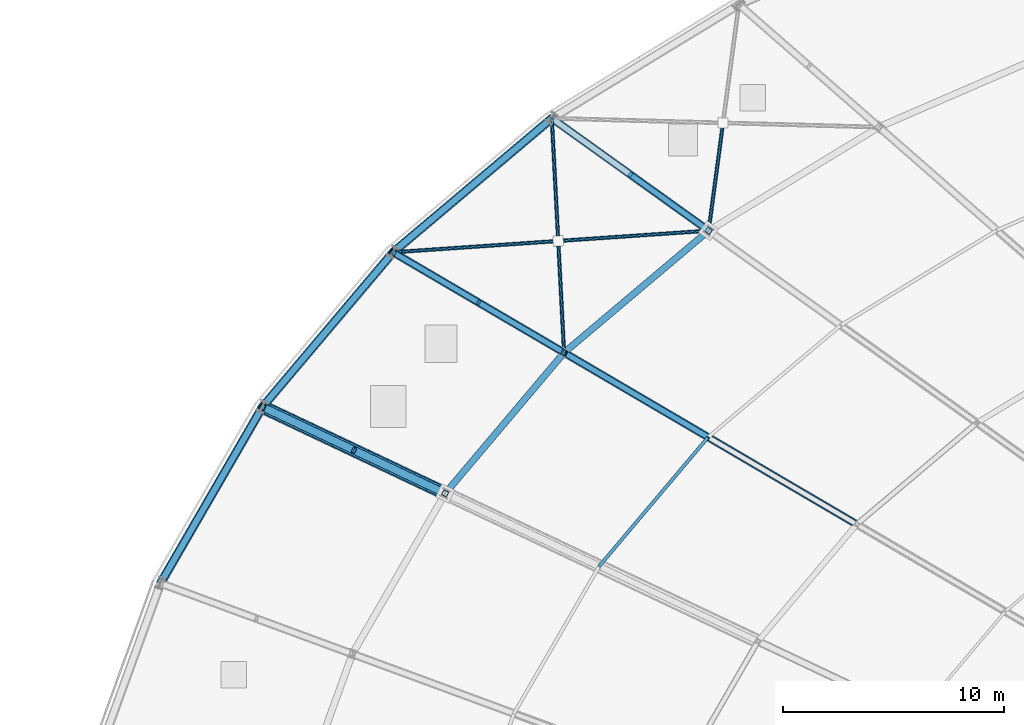
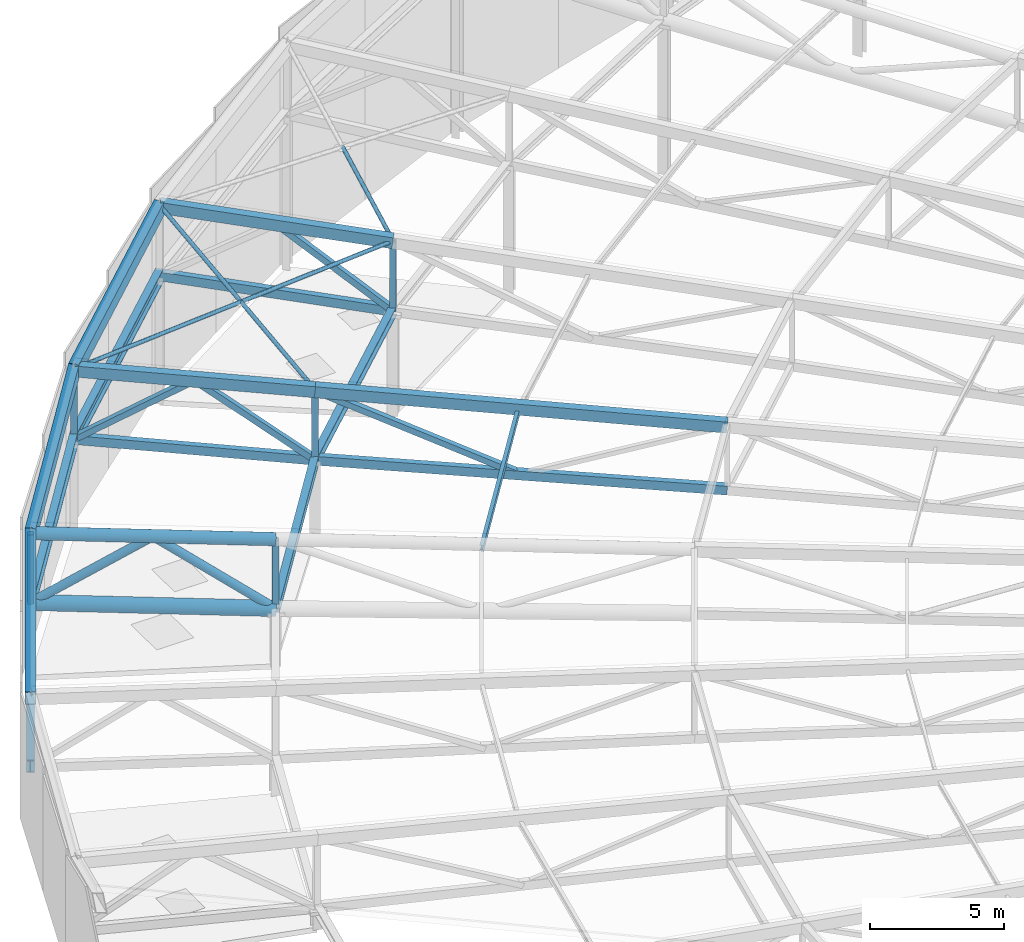
# One storey, part 47 of 143: 16 beams, 16 members.
"""IFC4 building model written with IfcOpenShell, lengths in metres."""

from ifc_helpers import new_model, si_unit, direction, frame, origin, origin_2d, place, context, subcontext, project, spatial, hollow_rectangle, hollow_circle, i_section, extrude, material, material_profile, profile_set, type_object, element, save


model = new_model("IFC4")

# Units and contexts
model_context = context("Model", 3, precision=1e-05, world=origin(), true_north=direction((0.0, 1.0)))
body_context = subcontext(model_context, "Body", "Model", "MODEL_VIEW")
ifc_project = project(units=[si_unit("LENGTHUNIT", "METRE"), si_unit("AREAUNIT", "SQUARE_METRE"), si_unit("VOLUMEUNIT", "CUBIC_METRE"), si_unit("PLANEANGLEUNIT", "RADIAN"), si_unit("MASSUNIT", "GRAM", prefix="KILO")], contexts=[model_context])

# Site, building, storey
site_placement = place(None, origin())
site = spatial("IfcSite", under=ifc_project, at=site_placement, CompositionType="ELEMENT")
building_placement = place(site_placement, origin())
building = spatial("IfcBuilding", under=site, at=building_placement, Name="Mphavela Belvedere Stadium", CompositionType="ELEMENT")
storey_placement = place(building_placement, frame((0.0, 0.0, 28.800048828125)))
storey = spatial("IfcBuildingStorey", under=building, at=storey_placement, Name="RF", CompositionType="ELEMENT", Elevation=28.800048828125)

# Beams
ifc_material_1 = material(Name="Steel S355", Category="steel")
ifc_material_profile_1 = material_profile(ifc_material_1, hollow_rectangle(XDim=0.39990234375, YDim=0.60009765625, WallThickness=0.02001953125, at=origin_2d()), Name="RHS 600x400x20")
ifc_profile_set_1 = profile_set([ifc_material_profile_1], Name="Steel S355")
beam_type_1 = type_object("IfcBeamType", Name="BM-RING-OUT", PredefinedType="BEAM", material=ifc_profile_set_1)
beam_1_placement = place(storey_placement, frame((35.844482421875, 143.714599609375, 8.805908203125), z_axis=(-0.75767620919, -0.639341612092, -0.131030779116), x_axis=(0.644901761212, -0.76426547638, 0.0)))
element("IfcBeam", 1, at=beam_1_placement, inside=storey, type_object=beam_type_1, Name="Perimeter compression ring beam RB-OUT-19", PredefinedType="BEAM", context=body_context, shape_type="SweptSolid", body=[
    extrude(hollow_rectangle(XDim=0.39990234375, YDim=0.60009765625, WallThickness=0.02001953125, at=origin_2d()), origin(), (0.0, 0.0, 1.0), 9.480224609375),
])
beam_2_placement = place(storey_placement, frame((28.66162109375, 137.653564453125, 7.563720703125), z_axis=(-0.640062920781, -0.758001984379, -0.125508761127), x_axis=(0.764043650952, -0.645164552218, 0.0)))
element("IfcBeam", 2, at=beam_2_placement, inside=storey, type_object=beam_type_1, Name="Perimeter compression ring beam RB-OUT-20", PredefinedType="BEAM", context=body_context, shape_type="SweptSolid", body=[
    extrude(hollow_rectangle(XDim=0.39990234375, YDim=0.60009765625, WallThickness=0.02001953125, at=origin_2d()), origin(), (0.0, 0.0, 1.0), 9.22412109375),
])
beam_3_placement = place(storey_placement, frame((22.757568359375, 130.66162109375, 6.406005859375), z_axis=(-0.49767882815, -0.8607068018, -0.107236119601), x_axis=(0.865698783248, -0.500565297122, 0.0)))
element("IfcBeam", 3, at=beam_3_placement, inside=storey, type_object=beam_type_1, Name="Perimeter compression ring beam RB-OUT-21", PredefinedType="BEAM", context=body_context, shape_type="SweptSolid", body=[
    extrude(hollow_rectangle(XDim=0.39990234375, YDim=0.60009765625, WallThickness=0.02001953125, at=origin_2d()), origin(), (0.0, 0.0, 1.0), 9.2705078125),
])
ifc_material_2 = material(Name="Steel S355", Category="steel")
ifc_material_profile_2 = material_profile(ifc_material_2, i_section(OverallWidth=0.300048828125, OverallDepth=0.39990234375, WebThickness=0.013427734375, FlangeThickness=0.02392578125, at=origin_2d()), Name="HEB 400")
ifc_profile_set_2 = profile_set([ifc_material_profile_2], Name="Steel S355")
beam_type_2 = type_object("IfcBeamType", Name="BM-STEEL-HEB400", PredefinedType="BEAM", material=ifc_profile_set_2)
beam_4_placement = place(storey_placement, frame((42.938720703125, 138.631591796875, 4.701171875), z_axis=(-0.757674039496, -0.639344047441, -0.131031442314), x_axis=(0.644904274761, -0.764263355392, 0.0)))
element("IfcBeam", 4, at=beam_4_placement, inside=storey, type_object=beam_type_2, Name="Roof bottom-chord tie girder R3-19", PredefinedType="BEAM", context=body_context, shape_type="SweptSolid", body=[
    extrude(i_section(OverallWidth=0.300048828125, OverallDepth=0.39990234375, WebThickness=0.013427734375, FlangeThickness=0.02392578125, at=origin_2d()), origin(), (0.0, 0.0, 1.0), 8.63037109375),
])
beam_5_placement = place(storey_placement, frame((36.399658203125, 133.11376953125, 3.5703125), z_axis=(-0.640076100613, -0.75799174144, -0.125503407655), x_axis=(0.764032804808, -0.645177396673, 0.0)))
element("IfcBeam", 5, at=beam_5_placement, inside=storey, type_object=beam_type_2, Name="Roof bottom-chord tie girder R3-20", PredefinedType="BEAM", context=body_context, shape_type="SweptSolid", body=[
    extrude(i_section(OverallWidth=0.300048828125, OverallDepth=0.39990234375, WebThickness=0.013427734375, FlangeThickness=0.02392578125, at=origin_2d()), origin(), (0.0, 0.0, 1.0), 8.397705078125),
])
ifc_material_3 = material(Name="Steel S355", Category="steel")
ifc_material_profile_3 = material_profile(ifc_material_3, i_section(OverallWidth=0.300048828125, OverallDepth=0.60009765625, WebThickness=0.015380859375, FlangeThickness=0.030029296875, at=origin_2d()), Name="HEB 600")
ifc_profile_set_3 = profile_set([ifc_material_profile_3], Name="Steel S355")
beam_type_3 = type_object("IfcBeamType", Name="BM-STEEL-HEB600", PredefinedType="BEAM", material=ifc_profile_set_3)
beam_6_placement = place(storey_placement, frame((35.844482421875, 143.714599609375, 5.7109375), z_axis=(-0.75767620919, -0.639341612092, -0.131030779116), x_axis=(0.644901761212, -0.76426547638, 0.0)))
element("IfcBeam", 6, at=beam_6_placement, inside=storey, type_object=beam_type_3, Name="Roof bottom-chord tie girder R4-19", PredefinedType="BEAM", context=body_context, shape_type="SweptSolid", body=[
    extrude(i_section(OverallWidth=0.300048828125, OverallDepth=0.60009765625, WebThickness=0.015380859375, FlangeThickness=0.030029296875, at=origin_2d()), origin(), (0.0, 0.0, 1.0), 9.480224609375),
])
beam_7_placement = place(storey_placement, frame((28.66162109375, 137.653564453125, 4.46875), z_axis=(-0.640062920781, -0.758001984379, -0.125508761127), x_axis=(0.764043650952, -0.645164552218, 0.0)))
element("IfcBeam", 7, at=beam_7_placement, inside=storey, type_object=beam_type_3, Name="Roof bottom-chord tie girder R4-20", PredefinedType="BEAM", context=body_context, shape_type="SweptSolid", body=[
    extrude(i_section(OverallWidth=0.300048828125, OverallDepth=0.60009765625, WebThickness=0.015380859375, FlangeThickness=0.030029296875, at=origin_2d()), origin(), (0.0, 0.0, 1.0), 9.22412109375),
])
beam_8_placement = place(storey_placement, frame((22.757568359375, 130.66162109375, 3.31103515625), z_axis=(-0.49767882815, -0.8607068018, -0.107236119601), x_axis=(0.865698783248, -0.500565297122, 0.0)))
element("IfcBeam", 8, at=beam_8_placement, inside=storey, type_object=beam_type_3, Name="Roof bottom-chord tie girder R4-21", PredefinedType="BEAM", context=body_context, shape_type="SweptSolid", body=[
    extrude(i_section(OverallWidth=0.300048828125, OverallDepth=0.60009765625, WebThickness=0.015380859375, FlangeThickness=0.030029296875, at=origin_2d()), origin(), (0.0, 0.0, 1.0), 9.2705078125),
])
ifc_material_4 = material(Name="Steel S355", Category="steel")
ifc_material_profile_4 = material_profile(ifc_material_4, hollow_circle(Radius=0.304931640625, WallThickness=0.02490234375, at=origin_2d()), Name="CHS 610x25")
ifc_profile_set_4 = profile_set([ifc_material_profile_4], Name="Steel S355")
beam_type_4 = type_object("IfcBeamType", Name="BM-TRUSS-BC1", PredefinedType="BEAM", material=ifc_profile_set_4)
beam_9_placement = place(storey_placement, frame((22.757568359375, 130.66162109375, 3.31103515625), z_axis=(0.900453046882, -0.426253267431, -0.086559010886), x_axis=(0.427859140325, 0.903845427073, 0.0)))
element("IfcBeam", 9, at=beam_9_placement, inside=storey, type_object=beam_type_4, Name="Radial roof truss RT-21 bottom chord 1", PredefinedType="BEAM", context=body_context, shape_type="SweptSolid", body=[
    extrude(hollow_circle(Radius=0.304931640625, WallThickness=0.02490234375, at=origin_2d()), origin(), (0.0, 0.0, 1.0), 9.1806640625),
])
ifc_material_5 = material(Name="Steel S355", Category="steel")
ifc_material_profile_5 = material_profile(ifc_material_5, hollow_rectangle(XDim=0.25, YDim=0.39990234375, WallThickness=0.01611328125, at=origin_2d()), Name="RHS 400x250x16")
ifc_profile_set_5 = profile_set([ifc_material_profile_5], Name="Steel S355")
beam_type_5 = type_object("IfcBeamType", Name="BM-TRUSS-BC2", PredefinedType="BEAM", material=ifc_profile_set_5)
beam_10_placement = place(storey_placement, frame((35.844482421875, 143.714599609375, 5.7109375), z_axis=(0.807495008804, -0.57856858983, -0.114935623801), x_axis=(0.582428376319, 0.812882024932, 0.0)))
element("IfcBeam", 10, at=beam_10_placement, inside=storey, type_object=beam_type_5, Name="Radial roof truss RT-19 bottom chord 1", PredefinedType="BEAM", context=body_context, shape_type="SweptSolid", body=[
    extrude(hollow_rectangle(XDim=0.25, YDim=0.39990234375, WallThickness=0.01611328125, at=origin_2d()), origin(), (0.0, 0.0, 1.0), 8.785400390625),
])
beam_11_placement = place(storey_placement, frame((28.66162109375, 137.653564453125, 4.46875), z_axis=(0.858225019293, -0.503508257888, -0.099645624578), x_axis=(0.506026758411, 0.862517779395, 0.0)))
element("IfcBeam", 11, at=beam_11_placement, inside=storey, type_object=beam_type_5, Name="Radial roof truss RT-20 bottom chord 1", PredefinedType="BEAM", context=body_context, shape_type="SweptSolid", body=[
    extrude(hollow_rectangle(XDim=0.25, YDim=0.39990234375, WallThickness=0.01611328125, at=origin_2d()), origin(), (0.0, 0.0, 1.0), 9.016357421875),
])
beam_12_placement = place(storey_placement, frame((36.399658203125, 133.11376953125, 3.5703125), z_axis=(0.85949913121, -0.504262531198, -0.0835496444), x_axis=(0.506031812676, 0.86251481411, 0.0)))
element("IfcBeam", 12, at=beam_12_placement, inside=storey, type_object=beam_type_5, Name="Radial roof truss RT-20 bottom chord 2", PredefinedType="BEAM", context=body_context, shape_type="SweptSolid", body=[
    extrude(hollow_rectangle(XDim=0.25, YDim=0.39990234375, WallThickness=0.01611328125, at=origin_2d()), origin(), (0.0, 0.0, 1.0), 15.3994140625),
])
ifc_material_6 = material(Name="Steel S355", Category="steel")
ifc_material_profile_6 = material_profile(ifc_material_6, hollow_circle(Radius=0.25390625, WallThickness=0.02490234375, at=origin_2d()), Name="CHS 508x25")
ifc_profile_set_6 = profile_set([ifc_material_profile_6], Name="Steel S355")
beam_type_6 = type_object("IfcBeamType", Name="BM-TRUSS-TC1", PredefinedType="BEAM", material=ifc_profile_set_6)
beam_13_placement = place(storey_placement, frame((22.757568359375, 130.66162109375, 6.4609375), z_axis=(0.900453046882, -0.426253267431, -0.086559010886), x_axis=(0.427859140325, 0.903845427073, 0.0)))
element("IfcBeam", 13, at=beam_13_placement, inside=storey, type_object=beam_type_6, Name="Radial roof truss RT-21 top chord 1", PredefinedType="BEAM", context=body_context, shape_type="SweptSolid", body=[
    extrude(hollow_circle(Radius=0.25390625, WallThickness=0.02490234375, at=origin_2d()), origin(), (0.0, 0.0, 1.0), 9.1806640625),
])
ifc_material_7 = material(Name="Steel S355", Category="steel")
ifc_material_profile_7 = material_profile(ifc_material_7, hollow_rectangle(XDim=0.35009765625, YDim=0.5, WallThickness=0.02001953125, at=origin_2d()), Name="RHS 500x350x20")
ifc_profile_set_7 = profile_set([ifc_material_profile_7], Name="Steel S355")
beam_type_7 = type_object("IfcBeamType", Name="BM-TRUSS-TC2", PredefinedType="BEAM", material=ifc_profile_set_7)
beam_14_placement = place(storey_placement, frame((35.844482421875, 143.714599609375, 8.86083984375), z_axis=(0.807497587607, -0.578570437538, -0.114908201692), x_axis=(0.582428376319, 0.812882024932, 0.0)))
element("IfcBeam", 14, at=beam_14_placement, inside=storey, type_object=beam_type_7, Name="Radial roof truss RT-19 top chord 1", PredefinedType="BEAM", context=body_context, shape_type="SweptSolid", body=[
    extrude(hollow_rectangle(XDim=0.35009765625, YDim=0.5, WallThickness=0.02001953125, at=origin_2d()), origin(), (0.0, 0.0, 1.0), 8.785400390625),
])
beam_15_placement = place(storey_placement, frame((28.66162109375, 137.653564453125, 7.61865234375), z_axis=(0.858225019293, -0.503508257888, -0.099645624578), x_axis=(0.506026758411, 0.862517779395, 0.0)))
element("IfcBeam", 15, at=beam_15_placement, inside=storey, type_object=beam_type_7, Name="Radial roof truss RT-20 top chord 1", PredefinedType="BEAM", context=body_context, shape_type="SweptSolid", body=[
    extrude(hollow_rectangle(XDim=0.35009765625, YDim=0.5, WallThickness=0.02001953125, at=origin_2d()), origin(), (0.0, 0.0, 1.0), 9.016357421875),
])
beam_16_placement = place(storey_placement, frame((36.399658203125, 133.11376953125, 6.72021484375), z_axis=(0.858222917676, -0.503513785047, -0.099635795991), x_axis=(0.506031812676, 0.86251481411, 0.0)))
element("IfcBeam", 16, at=beam_16_placement, inside=storey, type_object=beam_type_7, Name="Radial roof truss RT-20 top chord 2", PredefinedType="BEAM", context=body_context, shape_type="SweptSolid", body=[
    extrude(hollow_rectangle(XDim=0.35009765625, YDim=0.5, WallThickness=0.02001953125, at=origin_2d()), origin(), (0.0, 0.0, 1.0), 15.42236328125),
])

# Members
ifc_material_8 = material(Name="Steel S355", Category="steel")
ifc_material_profile_8 = material_profile(ifc_material_8, hollow_circle(Radius=0.177734375, WallThickness=0.01611328125, at=origin_2d()), Name="CHS 355.6x16")
ifc_profile_set_8 = profile_set([ifc_material_profile_8], Name="Steel S355")
member_type_1 = type_object("IfcMemberType", Name="MEM-DIAG-355", PredefinedType="BRACE", material=ifc_profile_set_8)
member_1_placement = place(storey_placement, frame((22.757568359375, 130.66162109375, 3.31103515625), z_axis=(0.774385979506, -0.366588129806, 0.515693220656), x_axis=(0.427870623613, 0.903839991065, 0.0)))
element("IfcMember", 17, at=member_1_placement, inside=storey, type_object=member_type_1, Name="Radial roof truss RT-21 web diagonal D1", PredefinedType="BRACE", context=body_context, shape_type="SweptSolid", body=[
    extrude(hollow_circle(Radius=0.177734375, WallThickness=0.01611328125, at=origin_2d()), origin(), (0.0, 0.0, 1.0), 5.337890625),
])
member_2_placement = place(storey_placement, frame((26.89111328125, 128.704833984375, 6.063720703125), z_axis=(0.714168011472, -0.338059211101, -0.612927419178), x_axis=(0.427847656152, 0.903850863321, 0.0)))
element("IfcMember", 18, at=member_2_placement, inside=storey, type_object=member_type_1, Name="Radial roof truss RT-21 web diagonal D2", PredefinedType="BRACE", context=body_context, shape_type="SweptSolid", body=[
    extrude(hollow_circle(Radius=0.177734375, WallThickness=0.01611328125, at=origin_2d()), origin(), (0.0, 0.0, 1.0), 5.78759765625),
])
ifc_material_9 = material(Name="Steel S355", Category="steel")
ifc_material_profile_9 = material_profile(ifc_material_9, hollow_rectangle(XDim=0.25, YDim=0.25, WallThickness=0.012451171875, at=origin_2d()), Name="SHS 250x250x12.5")
ifc_profile_set_9 = profile_set([ifc_material_profile_9], Name="Steel S355")
member_type_2 = type_object("IfcMemberType", Name="MEM-POST-SHS250", PredefinedType="POST", material=ifc_profile_set_9)
member_3_placement = place(storey_placement, frame((42.938720703125, 138.631591796875, 4.701171875), z_axis=(0.0, 0.0, 1.0), x_axis=(-0.812897512265, 0.582406760395, 0.0)))
element("IfcMember", 19, at=member_3_placement, inside=storey, type_object=member_type_2, Name="Radial roof truss RT-19 post P2", PredefinedType="POST", context=body_context, shape_type="SweptSolid", body=[
    extrude(hollow_rectangle(XDim=0.25, YDim=0.25, WallThickness=0.012451171875, at=origin_2d()), origin(), (0.0, 0.0, 1.0), 3.150146484375),
])
member_4_placement = place(storey_placement, frame((39.3916015625, 141.173095703125, 8.35595703125), z_axis=(0.623177325209, -0.446505331091, -0.642092680734), x_axis=(0.582428376319, 0.812882024932, 0.0)))
element("IfcMember", 20, at=member_4_placement, inside=storey, type_object=member_type_2, Name="Radial roof truss RT-19 web diagonal D2", PredefinedType="POST", context=body_context, shape_type="SweptSolid", body=[
    extrude(hollow_rectangle(XDim=0.25, YDim=0.25, WallThickness=0.012451171875, at=origin_2d()), origin(), (0.0, 0.0, 1.0), 5.69189453125),
])
for number, where, z_axis, x_axis, name in (
    (21, (28.66162109375, 137.653564453125, 4.46875), (0.0, 0.0, 1.0), (-0.862513669207, 0.506033764121, 0.0), "Radial roof truss RT-20 post P1"),
    (22, (36.399658203125, 133.11376953125, 3.5703125), (0.0, 0.0, 1.0), (-0.862513669207, 0.506033764121, 0.0), "Radial roof truss RT-20 post P2"),
):
    element("IfcMember", number, at=place(storey_placement, frame(where, z_axis=z_axis, x_axis=x_axis)), inside=storey, type_object=member_type_2, Name=name, PredefinedType="POST", context=body_context, shape_type="SweptSolid", body=[
        extrude(hollow_rectangle(XDim=0.25, YDim=0.25, WallThickness=0.012451171875, at=origin_2d()), origin(), (0.0, 0.0, 1.0), 3.14990234375),
    ])
member_5_placement = place(storey_placement, frame((28.66162109375, 137.653564453125, 4.46875), z_axis=(0.738933073182, -0.433531026908, 0.515779761202), x_axis=(0.506035125542, 0.862512870465, 0.0)))
element("IfcMember", 23, at=member_5_placement, inside=storey, type_object=member_type_2, Name="Radial roof truss RT-20 web diagonal D1", PredefinedType="POST", context=body_context, shape_type="SweptSolid", body=[
    extrude(hollow_rectangle(XDim=0.25, YDim=0.25, WallThickness=0.012451171875, at=origin_2d()), origin(), (0.0, 0.0, 1.0), 5.236083984375),
])
member_6_placement = place(storey_placement, frame((32.53076171875, 135.383544921875, 7.16943359375), z_axis=(0.672735460381, -0.394675432268, -0.625826096859), x_axis=(0.50601839061, 0.862522688609, 0.0)))
element("IfcMember", 24, at=member_6_placement, inside=storey, type_object=member_type_2, Name="Radial roof truss RT-20 web diagonal D2", PredefinedType="POST", context=body_context, shape_type="SweptSolid", body=[
    extrude(hollow_rectangle(XDim=0.25, YDim=0.25, WallThickness=0.012451171875, at=origin_2d()), origin(), (0.0, 0.0, 1.0), 5.7509765625),
])
member_7_placement = place(storey_placement, frame((36.399658203125, 133.11376953125, 6.72021484375), z_axis=(0.773195010887, -0.453614205118, -0.443174489399), x_axis=(0.506019976989, 0.862521757922, 0.0)))
element("IfcMember", 25, at=member_7_placement, inside=storey, type_object=member_type_2, Name="Radial roof truss RT-20 web diagonal D3", PredefinedType="POST", context=body_context, shape_type="SweptSolid", body=[
    extrude(hollow_rectangle(XDim=0.25, YDim=0.25, WallThickness=0.012451171875, at=origin_2d()), origin(), (0.0, 0.0, 1.0), 8.55908203125),
])
for number, where, z_axis, x_axis, name in (
    (26, (22.757568359375, 130.66162109375, 3.31103515625), (0.0, 0.0, 1.0), (-0.903858661687, 0.4278311813, 0.0), "Radial roof truss RT-21 post P1"),
    (27, (31.0244140625, 126.748291015625, 2.516357421875), (0.0, 0.0, 1.0), (-0.903858661687, 0.4278311813, 0.0), "Radial roof truss RT-21 post P2"),
):
    element("IfcMember", number, at=place(storey_placement, frame(where, z_axis=z_axis, x_axis=x_axis)), inside=storey, type_object=member_type_2, Name=name, PredefinedType="POST", context=body_context, shape_type="SweptSolid", body=[
        extrude(hollow_rectangle(XDim=0.25, YDim=0.25, WallThickness=0.012451171875, at=origin_2d()), origin(), (0.0, 0.0, 1.0), 3.14990234375),
    ])
ifc_material_10 = material(Name="Steel S355", Category="steel")
ifc_material_profile_10 = material_profile(ifc_material_10, i_section(OverallWidth=0.14990234375, OverallDepth=0.300048828125, WebThickness=0.007080078125, FlangeThickness=0.0107421875, at=origin_2d()), Name="IPE 300")
ifc_profile_set_10 = profile_set([ifc_material_profile_10], Name="Steel S355")
member_type_3 = type_object("IfcMemberType", Name="MEM-PURLIN-IPE300", PredefinedType="PURLIN", material=ifc_profile_set_10)
member_8_placement = place(storey_placement, frame((42.915771484375, 129.291015625, 5.773681640625), z_axis=(-0.640075923464, -0.757997993357, -0.125466546408), x_axis=(0.764035515933, -0.645174186087, 0.0)))
element("IfcMember", 28, at=member_8_placement, inside=storey, type_object=member_type_3, Name="Saddle canopy steel purlin 20-2", PredefinedType="PURLIN", context=body_context, shape_type="SweptSolid", body=[
    extrude(i_section(OverallWidth=0.14990234375, OverallDepth=0.300048828125, WebThickness=0.007080078125, FlangeThickness=0.0107421875, at=origin_2d()), origin(), (0.0, 0.0, 1.0), 7.70166015625),
])
ifc_material_11 = material(Name="Steel S355", Category="steel")
ifc_material_profile_11 = material_profile(ifc_material_11, hollow_circle(Radius=0.084228515625, WallThickness=0.010009765625, at=origin_2d()), Name="CHS 168.3x10")
ifc_profile_set_11 = profile_set([ifc_material_profile_11], Name="Steel S355")
member_type_4 = type_object("IfcMemberType", Name="MEM-ROOF-XBRACE", PredefinedType="BRACE", material=ifc_profile_set_11)
member_9_placement = place(storey_placement, frame((43.589111328125, 143.50634765625, 8.924560546875), z_axis=(-0.129207355323, -0.968424648546, -0.213211536786), x_axis=(0.991216624489, -0.132248264018, 0.0)))
element("IfcMember", 29, at=member_9_placement, inside=storey, type_object=member_type_4, Name="Roof diaphragm split X-brace B2 18", PredefinedType="BRACE", context=body_context, shape_type="SweptSolid", body=[
    extrude(hollow_circle(Radius=0.084228515625, WallThickness=0.010009765625, at=origin_2d()), origin(), (0.0, 0.0, 1.0), 5.03369140625),
])
member_10_placement = place(storey_placement, frame((42.938720703125, 138.631591796875, 7.851318359375), z_axis=(-0.997530048302, -0.068334023726, -0.016256196858), x_axis=(0.068343054625, -0.99766188004, 0.0)))
element("IfcMember", 30, at=member_10_placement, inside=storey, type_object=member_type_4, Name="Roof diaphragm continuous X-brace A 19", PredefinedType="BRACE", context=body_context, shape_type="SweptSolid", body=[
    extrude(hollow_circle(Radius=0.084228515625, WallThickness=0.010009765625, at=origin_2d()), origin(), (0.0, 0.0, 1.0), 14.3125),
])
member_11_placement = place(storey_placement, frame((35.844482421875, 143.714599609375, 8.86083984375), z_axis=(0.051253008111, -0.978932454916, -0.197647104387), x_axis=(0.998632234834, 0.052284410201, 0.0)))
element("IfcMember", 31, at=member_11_placement, inside=storey, type_object=member_type_4, Name="Roof diaphragm split X-brace B1 19", PredefinedType="BRACE", context=body_context, shape_type="SweptSolid", body=[
    extrude(hollow_circle(Radius=0.084228515625, WallThickness=0.010009765625, at=origin_2d()), origin(), (0.0, 0.0, 1.0), 5.66845703125),
])
member_12_placement = place(storey_placement, frame((36.135009765625, 138.16552734375, 7.740478515625), z_axis=(0.051283031639, -0.978919271838, -0.197704602601), x_axis=(0.998630598401, 0.052315656711, 0.0)))
element("IfcMember", 32, at=member_12_placement, inside=storey, type_object=member_type_4, Name="Roof diaphragm split X-brace B2 19", PredefinedType="BRACE", context=body_context, shape_type="SweptSolid", body=[
    extrude(hollow_circle(Radius=0.084228515625, WallThickness=0.010009765625, at=origin_2d()), origin(), (0.0, 0.0, 1.0), 5.16064453125),
])

save(model, "model.ifc")
